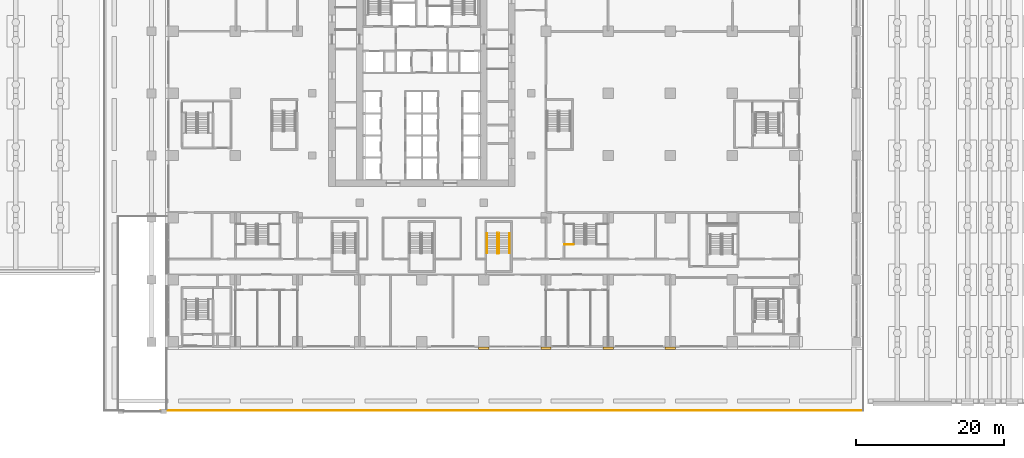
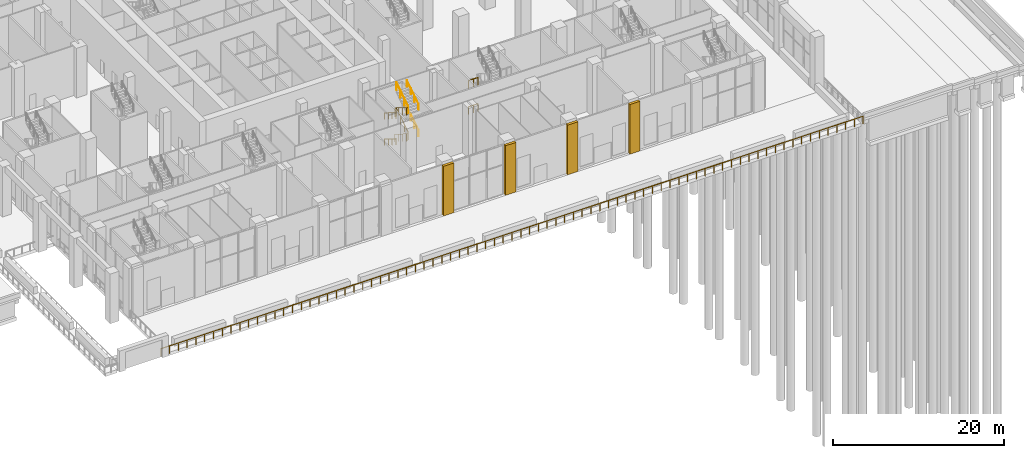
# One storey, part 42 of 53: 11 railings, 4 coverings.
"""IFC4 building model written with IfcOpenShell, lengths in metres."""

from ifc_helpers import new_model, si_unit, direction, frame, origin, origin_2d, place, context, subcontext, project, spatial, polyline, rectangle, outline, extrude, material, type_object, element, save


model = new_model("IFC4")

# Units and contexts
model_context = context("Model", 3, precision=1e-05, world=origin(), true_north=direction((0.0, 1.0)))
body_context = subcontext(model_context, "Body", "Model", "MODEL_VIEW")
ifc_project = project(units=[si_unit("LENGTHUNIT", "METRE"), si_unit("AREAUNIT", "SQUARE_METRE"), si_unit("VOLUMEUNIT", "CUBIC_METRE"), si_unit("PLANEANGLEUNIT", "RADIAN"), si_unit("MASSUNIT", "GRAM", prefix="KILO")], contexts=[model_context])

# Site, building, storey
site_placement = place(None, origin())
site = spatial("IfcSite", under=ifc_project, at=site_placement, CompositionType="ELEMENT")
building_placement = place(site_placement, origin())
building = spatial("IfcBuilding", under=site, at=building_placement, Name="Vermilion Ogive Tower", CompositionType="ELEMENT")
storey_placement = place(building_placement, origin())
storey = spatial("IfcBuildingStorey", under=building, at=storey_placement, Name="L00", CompositionType="ELEMENT", Elevation=0.0)

# Railings
ifc_material_1 = material(Name="Steel S355 painted", Category="steel")
railing_type_1 = type_object("IfcRailingType", Name="Stair guard 1100", PredefinedType="GUARDRAIL", material=ifc_material_1)
railing_1_placement = place(storey_placement, frame((10.199951171875, -14.699951171875, 0.1875)))
element("IfcRailing", 1, at=railing_1_placement, inside=storey, type_object=railing_type_1, Name="L00 ST5 stair guard 1", PredefinedType="GUARDRAIL", context=body_context, shape_type="SweptSolid", body=[
    extrude(rectangle(XDim=0.048095703125, YDim=0.048095703125, at=origin_2d()), frame((0.0, 0.0, 1.076171875), z_axis=(0.0, -0.847993996163, 0.530005832488), x_axis=(1.0, 0.0, 0.0)), (0.0, 0.0, 1.0), 3.183837890625),
    extrude(rectangle(XDim=0.048095703125, YDim=0.048095703125, at=origin_2d()), frame((0.0, -2.699951171875, 2.763671875), z_axis=(0.707106781187, -0.707106781187, 0.0), x_axis=(0.707106781187, 0.707106781187, 0.0)), (0.0, 0.0, 1.0), 0.07080078125),
    extrude(rectangle(XDim=0.048095703125, YDim=0.048095703125, at=origin_2d()), frame((0.050048828125, -2.75, 2.763671875), z_axis=(1.0, 0.0, 0.0), x_axis=(0.0, 1.0, 0.0)), (0.0, 0.0, 1.0), 0.14990234375),
    extrude(rectangle(XDim=0.0419921875, YDim=0.0419921875, at=origin_2d()), origin(), (0.0, 0.0, 1.0), 1.052001953125),
    extrude(rectangle(XDim=0.0419921875, YDim=0.0419921875, at=origin_2d()), frame((0.0, -0.89990234375, 0.5625)), (0.0, 0.0, 1.0), 1.052001953125),
    extrude(rectangle(XDim=0.0419921875, YDim=0.0419921875, at=origin_2d()), frame((0.0, -1.800048828125, 1.125)), (0.0, 0.0, 1.0), 1.052001953125),
    extrude(rectangle(XDim=0.0419921875, YDim=0.0419921875, at=origin_2d()), frame((0.0, -2.699951171875, 1.6875)), (0.0, 0.0, 1.0), 1.052001953125),
    extrude(rectangle(XDim=0.0419921875, YDim=0.0419921875, at=origin_2d()), frame((0.050048828125, -2.75, 1.6875)), (0.0, 0.0, 1.0), 1.052001953125),
    extrude(rectangle(XDim=0.0419921875, YDim=0.0419921875, at=origin_2d()), frame((0.199951171875, -2.75, 1.6875)), (0.0, 0.0, 1.0), 1.052001953125),
])
railing_2_placement = place(storey_placement, frame((10.449951171875, -17.39990234375, 2.0625)))
element("IfcRailing", 2, at=railing_2_placement, inside=storey, type_object=railing_type_1, Name="L00 ST5 stair guard 3", PredefinedType="GUARDRAIL", context=body_context, shape_type="SweptSolid", body=[
    extrude(rectangle(XDim=0.048095703125, YDim=0.048095703125, at=origin_2d()), frame((0.0, 0.0, 1.076171875), z_axis=(0.0, 0.847993996163, 0.530005832488), x_axis=(-1.0, 0.0, 0.0)), (0.0, 0.0, 1.0), 3.183837890625),
    extrude(rectangle(XDim=0.048095703125, YDim=0.048095703125, at=origin_2d()), frame((0.0, 2.699951171875, 2.763671875), z_axis=(-0.707106781187, 0.707106781187, 0.0), x_axis=(-0.707106781187, -0.707106781187, 0.0)), (0.0, 0.0, 1.0), 0.07080078125),
    extrude(rectangle(XDim=0.048095703125, YDim=0.048095703125, at=origin_2d()), frame((-0.050048828125, 2.75, 2.763671875), z_axis=(-1.0, 0.0, 0.0), x_axis=(0.0, -1.0, 0.0)), (0.0, 0.0, 1.0), 0.14990234375),
    extrude(rectangle(XDim=0.0419921875, YDim=0.0419921875, at=origin_2d()), origin(), (0.0, 0.0, 1.0), 1.052001953125),
    extrude(rectangle(XDim=0.0419921875, YDim=0.0419921875, at=origin_2d()), frame((0.0, 0.89990234375, 0.5625)), (0.0, 0.0, 1.0), 1.052001953125),
    extrude(rectangle(XDim=0.0419921875, YDim=0.0419921875, at=origin_2d()), frame((0.0, 1.800048828125, 1.125)), (0.0, 0.0, 1.0), 1.052001953125),
    extrude(rectangle(XDim=0.0419921875, YDim=0.0419921875, at=origin_2d()), frame((0.0, 2.699951171875, 1.6875)), (0.0, 0.0, 1.0), 1.052001953125),
    extrude(rectangle(XDim=0.0419921875, YDim=0.0419921875, at=origin_2d()), frame((-0.050048828125, 2.75, 1.6875)), (0.0, 0.0, 1.0), 1.052001953125),
    extrude(rectangle(XDim=0.0419921875, YDim=0.0419921875, at=origin_2d()), frame((-0.199951171875, 2.75, 1.6875)), (0.0, 0.0, 1.0), 1.052001953125),
])
railing_3_placement = place(storey_placement, frame((10.199951171875, -14.699951171875, 3.9375)))
element("IfcRailing", 3, at=railing_3_placement, inside=storey, type_object=railing_type_1, Name="L00 ST5 stair guard 5", PredefinedType="GUARDRAIL", context=body_context, shape_type="SweptSolid", body=[
    extrude(rectangle(XDim=0.048095703125, YDim=0.048095703125, at=origin_2d()), frame((0.0, 0.0, 1.076171875), z_axis=(0.0, -0.847993996163, 0.530005832488), x_axis=(1.0, 0.0, 0.0)), (0.0, 0.0, 1.0), 3.183837890625),
    extrude(rectangle(XDim=0.048095703125, YDim=0.048095703125, at=origin_2d()), frame((0.0, -2.699951171875, 2.763671875), z_axis=(0.707106781187, -0.707106781187, 0.0), x_axis=(0.707106781187, 0.707106781187, 0.0)), (0.0, 0.0, 1.0), 0.07080078125),
    extrude(rectangle(XDim=0.048095703125, YDim=0.048095703125, at=origin_2d()), frame((0.050048828125, -2.75, 2.763671875), z_axis=(1.0, 0.0, 0.0), x_axis=(0.0, 1.0, 0.0)), (0.0, 0.0, 1.0), 0.14990234375),
    extrude(rectangle(XDim=0.0419921875, YDim=0.0419921875, at=origin_2d()), origin(), (0.0, 0.0, 1.0), 1.052001953125),
    extrude(rectangle(XDim=0.0419921875, YDim=0.0419921875, at=origin_2d()), frame((0.0, -0.89990234375, 0.5625)), (0.0, 0.0, 1.0), 1.052001953125),
    extrude(rectangle(XDim=0.0419921875, YDim=0.0419921875, at=origin_2d()), frame((0.0, -1.800048828125, 1.125)), (0.0, 0.0, 1.0), 1.052001953125),
    extrude(rectangle(XDim=0.0419921875, YDim=0.0419921875, at=origin_2d()), frame((0.0, -2.699951171875, 1.6875)), (0.0, 0.0, 1.0), 1.052001953125),
    extrude(rectangle(XDim=0.0419921875, YDim=0.0419921875, at=origin_2d()), frame((0.050048828125, -2.75, 1.6875)), (0.0, 0.0, 1.0), 1.052001953125),
    extrude(rectangle(XDim=0.0419921875, YDim=0.0419921875, at=origin_2d()), frame((0.199951171875, -2.75, 1.6875)), (0.0, 0.0, 1.0), 1.052001953125),
])
railing_4_placement = place(storey_placement, frame((10.449951171875, -17.39990234375, 5.8125)))
element("IfcRailing", 4, at=railing_4_placement, inside=storey, type_object=railing_type_1, Name="L00 ST5 stair guard 7", PredefinedType="GUARDRAIL", context=body_context, shape_type="SweptSolid", body=[
    extrude(rectangle(XDim=0.048095703125, YDim=0.048095703125, at=origin_2d()), frame((0.0, 0.0, 1.076171875), z_axis=(0.0, 0.847993996163, 0.530005832488), x_axis=(-1.0, 0.0, 0.0)), (0.0, 0.0, 1.0), 3.183837890625),
    extrude(rectangle(XDim=0.0419921875, YDim=0.0419921875, at=origin_2d()), origin(), (0.0, 0.0, 1.0), 1.052001953125),
    extrude(rectangle(XDim=0.0419921875, YDim=0.0419921875, at=origin_2d()), frame((0.0, 0.89990234375, 0.5625)), (0.0, 0.0, 1.0), 1.052001953125),
    extrude(rectangle(XDim=0.0419921875, YDim=0.0419921875, at=origin_2d()), frame((0.0, 1.800048828125, 1.125)), (0.0, 0.0, 1.0), 1.052001953125),
    extrude(rectangle(XDim=0.0419921875, YDim=0.0419921875, at=origin_2d()), frame((0.0, 2.699951171875, 1.6875)), (0.0, 0.0, 1.0), 1.052001953125),
])
for number, where, name in (
    (5, (19.300048828125, -16.25, 1.875), "L00 landing guard"),
    (6, (19.300048828125, -16.25, 5.625), "L00 landing guard"),
):
    element("IfcRailing", number, at=place(storey_placement, frame(where)), inside=storey, type_object=railing_type_1, Name=name, PredefinedType="GUARDRAIL", context=body_context, shape_type="SweptSolid", body=[
        extrude(rectangle(XDim=0.048095703125, YDim=0.048095703125, at=origin_2d()), frame((0.0, 0.0, 1.076171875), z_axis=(1.0, 0.0, 0.0), x_axis=(0.0, 1.0, 0.0)), (0.0, 0.0, 1.0), 1.25),
        extrude(rectangle(XDim=0.0419921875, YDim=0.0419921875, at=origin_2d()), origin(), (0.0, 0.0, 1.0), 1.052001953125),
        extrude(rectangle(XDim=0.0419921875, YDim=0.0419921875, at=origin_2d()), frame((0.625, 0.0, 0.0)), (0.0, 0.0, 1.0), 1.052001953125),
        extrude(rectangle(XDim=0.0419921875, YDim=0.0419921875, at=origin_2d()), frame((1.25, 0.0, 0.0)), (0.0, 0.0, 1.0), 1.052001953125),
    ])
ifc_material_2 = material(Name="Stainless steel", Category="steel")
railing_type_2 = type_object("IfcRailingType", Name="Stair handrail 900", PredefinedType="HANDRAIL", material=ifc_material_2)
railing_5_placement = place(storey_placement, frame((8.800048828125, -14.699951171875, 0.1875)))
element("IfcRailing", 7, at=railing_5_placement, inside=storey, type_object=railing_type_2, Name="L00 ST5 stair handrail 1", PredefinedType="HANDRAIL", context=body_context, shape_type="SweptSolid", body=[
    extrude(rectangle(XDim=0.048095703125, YDim=0.048095703125, at=origin_2d()), frame((0.0, 0.0, 0.8759765625), z_axis=(0.0, -0.847993996163, 0.530005832488), x_axis=(1.0, 0.0, 0.0)), (0.0, 0.0, 1.0), 3.183837890625),
    extrude(rectangle(XDim=0.0419921875, YDim=0.0419921875, at=origin_2d()), origin(), (0.0, 0.0, 1.0), 0.851806640625),
    extrude(rectangle(XDim=0.0419921875, YDim=0.0419921875, at=origin_2d()), frame((0.0, -0.89990234375, 0.5625)), (0.0, 0.0, 1.0), 0.851806640625),
    extrude(rectangle(XDim=0.0419921875, YDim=0.0419921875, at=origin_2d()), frame((0.0, -1.800048828125, 1.125)), (0.0, 0.0, 1.0), 0.851806640625),
    extrude(rectangle(XDim=0.0419921875, YDim=0.0419921875, at=origin_2d()), frame((0.0, -2.699951171875, 1.6875)), (0.0, 0.0, 1.0), 0.851806640625),
])
railing_6_placement = place(storey_placement, frame((11.85009765625, -17.39990234375, 2.0625)))
element("IfcRailing", 8, at=railing_6_placement, inside=storey, type_object=railing_type_2, Name="L00 ST5 stair handrail 2", PredefinedType="HANDRAIL", context=body_context, shape_type="SweptSolid", body=[
    extrude(rectangle(XDim=0.048095703125, YDim=0.048095703125, at=origin_2d()), frame((0.0, 0.0, 0.8759765625), z_axis=(0.0, 0.847993996163, 0.530005832488), x_axis=(-1.0, 0.0, 0.0)), (0.0, 0.0, 1.0), 3.183837890625),
    extrude(rectangle(XDim=0.0419921875, YDim=0.0419921875, at=origin_2d()), origin(), (0.0, 0.0, 1.0), 0.851806640625),
    extrude(rectangle(XDim=0.0419921875, YDim=0.0419921875, at=origin_2d()), frame((0.0, 0.89990234375, 0.5625)), (0.0, 0.0, 1.0), 0.851806640625),
    extrude(rectangle(XDim=0.0419921875, YDim=0.0419921875, at=origin_2d()), frame((0.0, 1.800048828125, 1.125)), (0.0, 0.0, 1.0), 0.851806640625),
    extrude(rectangle(XDim=0.0419921875, YDim=0.0419921875, at=origin_2d()), frame((0.0, 2.699951171875, 1.6875)), (0.0, 0.0, 1.0), 0.851806640625),
])
railing_7_placement = place(storey_placement, frame((8.800048828125, -14.699951171875, 3.9375)))
element("IfcRailing", 9, at=railing_7_placement, inside=storey, type_object=railing_type_2, Name="L00 ST5 stair handrail 3", PredefinedType="HANDRAIL", context=body_context, shape_type="SweptSolid", body=[
    extrude(rectangle(XDim=0.048095703125, YDim=0.048095703125, at=origin_2d()), frame((0.0, 0.0, 0.8759765625), z_axis=(0.0, -0.847993996163, 0.530005832488), x_axis=(1.0, 0.0, 0.0)), (0.0, 0.0, 1.0), 3.183837890625),
    extrude(rectangle(XDim=0.0419921875, YDim=0.0419921875, at=origin_2d()), origin(), (0.0, 0.0, 1.0), 0.851806640625),
    extrude(rectangle(XDim=0.0419921875, YDim=0.0419921875, at=origin_2d()), frame((0.0, -0.89990234375, 0.5625)), (0.0, 0.0, 1.0), 0.851806640625),
    extrude(rectangle(XDim=0.0419921875, YDim=0.0419921875, at=origin_2d()), frame((0.0, -1.800048828125, 1.125)), (0.0, 0.0, 1.0), 0.851806640625),
    extrude(rectangle(XDim=0.0419921875, YDim=0.0419921875, at=origin_2d()), frame((0.0, -2.699951171875, 1.6875)), (0.0, 0.0, 1.0), 0.851806640625),
])
railing_8_placement = place(storey_placement, frame((11.85009765625, -17.39990234375, 5.8125)))
element("IfcRailing", 10, at=railing_8_placement, inside=storey, type_object=railing_type_2, Name="L00 ST5 stair handrail 4", PredefinedType="HANDRAIL", context=body_context, shape_type="SweptSolid", body=[
    extrude(rectangle(XDim=0.048095703125, YDim=0.048095703125, at=origin_2d()), frame((0.0, 0.0, 0.8759765625), z_axis=(0.0, 0.847993996163, 0.530005832488), x_axis=(-1.0, 0.0, 0.0)), (0.0, 0.0, 1.0), 3.183837890625),
    extrude(rectangle(XDim=0.0419921875, YDim=0.0419921875, at=origin_2d()), origin(), (0.0, 0.0, 1.0), 0.851806640625),
    extrude(rectangle(XDim=0.0419921875, YDim=0.0419921875, at=origin_2d()), frame((0.0, 0.89990234375, 0.5625)), (0.0, 0.0, 1.0), 0.851806640625),
    extrude(rectangle(XDim=0.0419921875, YDim=0.0419921875, at=origin_2d()), frame((0.0, 1.800048828125, 1.125)), (0.0, 0.0, 1.0), 0.851806640625),
    extrude(rectangle(XDim=0.0419921875, YDim=0.0419921875, at=origin_2d()), frame((0.0, 2.699951171875, 1.6875)), (0.0, 0.0, 1.0), 0.851806640625),
])

# Coverings
ifc_material_3 = material(Name="Stone cladding", Category="masonry")
covering_type = type_object("IfcCoveringType", Name="Stone pier", PredefinedType="CLADDING", material=ifc_material_3)
covering_1_placement = place(storey_placement, origin())
element("IfcCovering", 11, at=covering_1_placement, inside=storey, type_object=covering_type, Name="Stone pier P+084-294", PredefinedType="CLADDING", context=body_context, shape_type="SweptSolid", body=[
    extrude(outline(polyline([(9.10009765625, -30.10009765625), (9.10009765625, -30.10009765625), (9.10009765625, -30.449951171875), (7.699951171875, -30.449951171875), (7.699951171875, -30.10009765625), (7.699951171875, -30.10009765625), (9.10009765625, -30.10009765625)])), origin(), (0.0, 0.0, 1.0), 7.10009765625),
])
covering_2_placement = place(storey_placement, origin())
element("IfcCovering", 12, at=covering_2_placement, inside=storey, type_object=covering_type, Name="Stone pier P+168-294", PredefinedType="CLADDING", context=body_context, shape_type="SweptSolid", body=[
    extrude(outline(polyline([(17.5, -30.10009765625), (17.5, -30.449951171875), (16.10009765625, -30.449951171875), (16.10009765625, -30.10009765625), (17.5, -30.10009765625), (17.5, -30.10009765625)])), origin(), (0.0, 0.0, 1.0), 7.10009765625),
])
covering_3_placement = place(storey_placement, origin())
element("IfcCovering", 13, at=covering_3_placement, inside=storey, type_object=covering_type, Name="Stone pier P+252-294", PredefinedType="CLADDING", context=body_context, shape_type="SweptSolid", body=[
    extrude(outline(polyline([(25.89990234375, -30.10009765625), (25.89990234375, -30.449951171875), (24.5, -30.449951171875), (24.5, -30.10009765625), (24.5, -30.10009765625), (25.89990234375, -30.10009765625)])), origin(), (0.0, 0.0, 1.0), 7.10009765625),
])
covering_4_placement = place(storey_placement, origin())
element("IfcCovering", 14, at=covering_4_placement, inside=storey, type_object=covering_type, Name="Stone pier P+336-294", PredefinedType="CLADDING", context=body_context, shape_type="SweptSolid", body=[
    extrude(outline(polyline([(34.300048828125, -30.449951171875), (32.89990234375, -30.449951171875), (32.89990234375, -30.10009765625), (34.300048828125, -30.10009765625), (34.300048828125, -30.449951171875)])), origin(), (0.0, 0.0, 1.0), 7.10009765625),
])

# Railing
ifc_material_4 = material(Name="Stainless steel and glass", Category="steel")
railing_type_3 = type_object("IfcRailingType", Name="Terrace guard", PredefinedType="GUARDRAIL", material=ifc_material_4)
railing_9_placement = place(storey_placement, frame((59.699951171875, -38.699951171875, 0.0)))
element("IfcRailing", 15, at=railing_9_placement, inside=storey, type_object=railing_type_3, Name="Terrace guard 1.1.3", PredefinedType="GUARDRAIL", context=body_context, shape_type="SweptSolid", body=[
    extrude(rectangle(XDim=0.048095703125, YDim=0.048095703125, at=origin_2d()), frame((0.0, 0.0, 1.076171875), z_axis=(-1.0, 0.0, 0.0), x_axis=(0.0, -1.0, 0.0)), (0.0, 0.0, 1.0), 95.0),
    extrude(rectangle(XDim=0.0419921875, YDim=0.0419921875, at=origin_2d()), origin(), (0.0, 0.0, 1.0), 1.052001953125),
    extrude(rectangle(XDim=0.0419921875, YDim=0.0419921875, at=origin_2d()), frame((-1.1875, 0.0, 0.0)), (0.0, 0.0, 1.0), 1.052001953125),
    extrude(rectangle(XDim=0.0419921875, YDim=0.0419921875, at=origin_2d()), frame((-2.375, 0.0, 0.0)), (0.0, 0.0, 1.0), 1.052001953125),
    extrude(rectangle(XDim=0.0419921875, YDim=0.0419921875, at=origin_2d()), frame((-3.5625, 0.0, 0.0)), (0.0, 0.0, 1.0), 1.052001953125),
    extrude(rectangle(XDim=0.0419921875, YDim=0.0419921875, at=origin_2d()), frame((-4.75, 0.0, 0.0)), (0.0, 0.0, 1.0), 1.052001953125),
    extrude(rectangle(XDim=0.0419921875, YDim=0.0419921875, at=origin_2d()), frame((-5.9375, 0.0, 0.0)), (0.0, 0.0, 1.0), 1.052001953125),
    extrude(rectangle(XDim=0.0419921875, YDim=0.0419921875, at=origin_2d()), frame((-7.125, 0.0, 0.0)), (0.0, 0.0, 1.0), 1.052001953125),
    extrude(rectangle(XDim=0.0419921875, YDim=0.0419921875, at=origin_2d()), frame((-8.3125, 0.0, 0.0)), (0.0, 0.0, 1.0), 1.052001953125),
    extrude(rectangle(XDim=0.0419921875, YDim=0.0419921875, at=origin_2d()), frame((-9.5, 0.0, 0.0)), (0.0, 0.0, 1.0), 1.052001953125),
    extrude(rectangle(XDim=0.0419921875, YDim=0.0419921875, at=origin_2d()), frame((-10.6875, 0.0, 0.0)), (0.0, 0.0, 1.0), 1.052001953125),
    extrude(rectangle(XDim=0.0419921875, YDim=0.0419921875, at=origin_2d()), frame((-11.875, 0.0, 0.0)), (0.0, 0.0, 1.0), 1.052001953125),
    extrude(rectangle(XDim=0.0419921875, YDim=0.0419921875, at=origin_2d()), frame((-13.0625, 0.0, 0.0)), (0.0, 0.0, 1.0), 1.052001953125),
    extrude(rectangle(XDim=0.0419921875, YDim=0.0419921875, at=origin_2d()), frame((-14.25, 0.0, 0.0)), (0.0, 0.0, 1.0), 1.052001953125),
    extrude(rectangle(XDim=0.0419921875, YDim=0.0419921875, at=origin_2d()), frame((-15.4375, 0.0, 0.0)), (0.0, 0.0, 1.0), 1.052001953125),
    extrude(rectangle(XDim=0.0419921875, YDim=0.0419921875, at=origin_2d()), frame((-16.625, 0.0, 0.0)), (0.0, 0.0, 1.0), 1.052001953125),
    extrude(rectangle(XDim=0.0419921875, YDim=0.0419921875, at=origin_2d()), frame((-17.8125, 0.0, 0.0)), (0.0, 0.0, 1.0), 1.052001953125),
    extrude(rectangle(XDim=0.0419921875, YDim=0.0419921875, at=origin_2d()), frame((-19.0, 0.0, 0.0)), (0.0, 0.0, 1.0), 1.052001953125),
    extrude(rectangle(XDim=0.0419921875, YDim=0.0419921875, at=origin_2d()), frame((-20.1875, 0.0, 0.0)), (0.0, 0.0, 1.0), 1.052001953125),
    extrude(rectangle(XDim=0.0419921875, YDim=0.0419921875, at=origin_2d()), frame((-21.375, 0.0, 0.0)), (0.0, 0.0, 1.0), 1.052001953125),
    extrude(rectangle(XDim=0.0419921875, YDim=0.0419921875, at=origin_2d()), frame((-22.5625, 0.0, 0.0)), (0.0, 0.0, 1.0), 1.052001953125),
    extrude(rectangle(XDim=0.0419921875, YDim=0.0419921875, at=origin_2d()), frame((-23.75, 0.0, 0.0)), (0.0, 0.0, 1.0), 1.052001953125),
    extrude(rectangle(XDim=0.0419921875, YDim=0.0419921875, at=origin_2d()), frame((-24.9375, 0.0, 0.0)), (0.0, 0.0, 1.0), 1.052001953125),
    extrude(rectangle(XDim=0.0419921875, YDim=0.0419921875, at=origin_2d()), frame((-26.125, 0.0, 0.0)), (0.0, 0.0, 1.0), 1.052001953125),
    extrude(rectangle(XDim=0.0419921875, YDim=0.0419921875, at=origin_2d()), frame((-27.3125, 0.0, 0.0)), (0.0, 0.0, 1.0), 1.052001953125),
    extrude(rectangle(XDim=0.0419921875, YDim=0.0419921875, at=origin_2d()), frame((-28.5, 0.0, 0.0)), (0.0, 0.0, 1.0), 1.052001953125),
    extrude(rectangle(XDim=0.0419921875, YDim=0.0419921875, at=origin_2d()), frame((-29.6875, 0.0, 0.0)), (0.0, 0.0, 1.0), 1.052001953125),
    extrude(rectangle(XDim=0.0419921875, YDim=0.0419921875, at=origin_2d()), frame((-30.875, 0.0, 0.0)), (0.0, 0.0, 1.0), 1.052001953125),
    extrude(rectangle(XDim=0.0419921875, YDim=0.0419921875, at=origin_2d()), frame((-32.0625, 0.0, 0.0)), (0.0, 0.0, 1.0), 1.052001953125),
    extrude(rectangle(XDim=0.0419921875, YDim=0.0419921875, at=origin_2d()), frame((-33.25, 0.0, 0.0)), (0.0, 0.0, 1.0), 1.052001953125),
    extrude(rectangle(XDim=0.0419921875, YDim=0.0419921875, at=origin_2d()), frame((-34.4375, 0.0, 0.0)), (0.0, 0.0, 1.0), 1.052001953125),
    extrude(rectangle(XDim=0.0419921875, YDim=0.0419921875, at=origin_2d()), frame((-35.625, 0.0, 0.0)), (0.0, 0.0, 1.0), 1.052001953125),
    extrude(rectangle(XDim=0.0419921875, YDim=0.0419921875, at=origin_2d()), frame((-36.8125, 0.0, 0.0)), (0.0, 0.0, 1.0), 1.052001953125),
    extrude(rectangle(XDim=0.0419921875, YDim=0.0419921875, at=origin_2d()), frame((-38.0, 0.0, 0.0)), (0.0, 0.0, 1.0), 1.052001953125),
    extrude(rectangle(XDim=0.0419921875, YDim=0.0419921875, at=origin_2d()), frame((-39.1875, 0.0, 0.0)), (0.0, 0.0, 1.0), 1.052001953125),
    extrude(rectangle(XDim=0.0419921875, YDim=0.0419921875, at=origin_2d()), frame((-40.375, 0.0, 0.0)), (0.0, 0.0, 1.0), 1.052001953125),
    extrude(rectangle(XDim=0.0419921875, YDim=0.0419921875, at=origin_2d()), frame((-41.5625, 0.0, 0.0)), (0.0, 0.0, 1.0), 1.052001953125),
    extrude(rectangle(XDim=0.0419921875, YDim=0.0419921875, at=origin_2d()), frame((-42.75, 0.0, 0.0)), (0.0, 0.0, 1.0), 1.052001953125),
    extrude(rectangle(XDim=0.0419921875, YDim=0.0419921875, at=origin_2d()), frame((-43.9375, 0.0, 0.0)), (0.0, 0.0, 1.0), 1.052001953125),
    extrude(rectangle(XDim=0.0419921875, YDim=0.0419921875, at=origin_2d()), frame((-45.125, 0.0, 0.0)), (0.0, 0.0, 1.0), 1.052001953125),
    extrude(rectangle(XDim=0.0419921875, YDim=0.0419921875, at=origin_2d()), frame((-46.3125, 0.0, 0.0)), (0.0, 0.0, 1.0), 1.052001953125),
    extrude(rectangle(XDim=0.0419921875, YDim=0.0419921875, at=origin_2d()), frame((-47.5, 0.0, 0.0)), (0.0, 0.0, 1.0), 1.052001953125),
    extrude(rectangle(XDim=0.0419921875, YDim=0.0419921875, at=origin_2d()), frame((-48.6875, 0.0, 0.0)), (0.0, 0.0, 1.0), 1.052001953125),
    extrude(rectangle(XDim=0.0419921875, YDim=0.0419921875, at=origin_2d()), frame((-49.875, 0.0, 0.0)), (0.0, 0.0, 1.0), 1.052001953125),
    extrude(rectangle(XDim=0.0419921875, YDim=0.0419921875, at=origin_2d()), frame((-51.0625, 0.0, 0.0)), (0.0, 0.0, 1.0), 1.052001953125),
    extrude(rectangle(XDim=0.0419921875, YDim=0.0419921875, at=origin_2d()), frame((-52.25, 0.0, 0.0)), (0.0, 0.0, 1.0), 1.052001953125),
    extrude(rectangle(XDim=0.0419921875, YDim=0.0419921875, at=origin_2d()), frame((-53.4375, 0.0, 0.0)), (0.0, 0.0, 1.0), 1.052001953125),
    extrude(rectangle(XDim=0.0419921875, YDim=0.0419921875, at=origin_2d()), frame((-54.625, 0.0, 0.0)), (0.0, 0.0, 1.0), 1.052001953125),
    extrude(rectangle(XDim=0.0419921875, YDim=0.0419921875, at=origin_2d()), frame((-55.8125, 0.0, 0.0)), (0.0, 0.0, 1.0), 1.052001953125),
    extrude(rectangle(XDim=0.0419921875, YDim=0.0419921875, at=origin_2d()), frame((-57.0, 0.0, 0.0)), (0.0, 0.0, 1.0), 1.052001953125),
    extrude(rectangle(XDim=0.0419921875, YDim=0.0419921875, at=origin_2d()), frame((-58.1875, 0.0, 0.0)), (0.0, 0.0, 1.0), 1.052001953125),
    extrude(rectangle(XDim=0.0419921875, YDim=0.0419921875, at=origin_2d()), frame((-59.375, 0.0, 0.0)), (0.0, 0.0, 1.0), 1.052001953125),
    extrude(rectangle(XDim=0.0419921875, YDim=0.0419921875, at=origin_2d()), frame((-60.5625, 0.0, 0.0)), (0.0, 0.0, 1.0), 1.052001953125),
    extrude(rectangle(XDim=0.0419921875, YDim=0.0419921875, at=origin_2d()), frame((-61.75, 0.0, 0.0)), (0.0, 0.0, 1.0), 1.052001953125),
    extrude(rectangle(XDim=0.0419921875, YDim=0.0419921875, at=origin_2d()), frame((-62.9375, 0.0, 0.0)), (0.0, 0.0, 1.0), 1.052001953125),
    extrude(rectangle(XDim=0.0419921875, YDim=0.0419921875, at=origin_2d()), frame((-64.125, 0.0, 0.0)), (0.0, 0.0, 1.0), 1.052001953125),
    extrude(rectangle(XDim=0.0419921875, YDim=0.0419921875, at=origin_2d()), frame((-65.3125, 0.0, 0.0)), (0.0, 0.0, 1.0), 1.052001953125),
    extrude(rectangle(XDim=0.0419921875, YDim=0.0419921875, at=origin_2d()), frame((-66.5, 0.0, 0.0)), (0.0, 0.0, 1.0), 1.052001953125),
    extrude(rectangle(XDim=0.0419921875, YDim=0.0419921875, at=origin_2d()), frame((-67.6875, 0.0, 0.0)), (0.0, 0.0, 1.0), 1.052001953125),
    extrude(rectangle(XDim=0.0419921875, YDim=0.0419921875, at=origin_2d()), frame((-68.875, 0.0, 0.0)), (0.0, 0.0, 1.0), 1.052001953125),
    extrude(rectangle(XDim=0.0419921875, YDim=0.0419921875, at=origin_2d()), frame((-70.0625, 0.0, 0.0)), (0.0, 0.0, 1.0), 1.052001953125),
    extrude(rectangle(XDim=0.0419921875, YDim=0.0419921875, at=origin_2d()), frame((-71.25, 0.0, 0.0)), (0.0, 0.0, 1.0), 1.052001953125),
    extrude(rectangle(XDim=0.0419921875, YDim=0.0419921875, at=origin_2d()), frame((-72.4375, 0.0, 0.0)), (0.0, 0.0, 1.0), 1.052001953125),
    extrude(rectangle(XDim=0.0419921875, YDim=0.0419921875, at=origin_2d()), frame((-73.625, 0.0, 0.0)), (0.0, 0.0, 1.0), 1.052001953125),
    extrude(rectangle(XDim=0.0419921875, YDim=0.0419921875, at=origin_2d()), frame((-74.8125, 0.0, 0.0)), (0.0, 0.0, 1.0), 1.052001953125),
    extrude(rectangle(XDim=0.0419921875, YDim=0.0419921875, at=origin_2d()), frame((-76.0, 0.0, 0.0)), (0.0, 0.0, 1.0), 1.052001953125),
    extrude(rectangle(XDim=0.0419921875, YDim=0.0419921875, at=origin_2d()), frame((-77.1875, 0.0, 0.0)), (0.0, 0.0, 1.0), 1.052001953125),
    extrude(rectangle(XDim=0.0419921875, YDim=0.0419921875, at=origin_2d()), frame((-78.375, 0.0, 0.0)), (0.0, 0.0, 1.0), 1.052001953125),
    extrude(rectangle(XDim=0.0419921875, YDim=0.0419921875, at=origin_2d()), frame((-79.5625, 0.0, 0.0)), (0.0, 0.0, 1.0), 1.052001953125),
    extrude(rectangle(XDim=0.0419921875, YDim=0.0419921875, at=origin_2d()), frame((-80.75, 0.0, 0.0)), (0.0, 0.0, 1.0), 1.052001953125),
    extrude(rectangle(XDim=0.0419921875, YDim=0.0419921875, at=origin_2d()), frame((-81.9375, 0.0, 0.0)), (0.0, 0.0, 1.0), 1.052001953125),
    extrude(rectangle(XDim=0.0419921875, YDim=0.0419921875, at=origin_2d()), frame((-83.125, 0.0, 0.0)), (0.0, 0.0, 1.0), 1.052001953125),
    extrude(rectangle(XDim=0.0419921875, YDim=0.0419921875, at=origin_2d()), frame((-84.3125, 0.0, 0.0)), (0.0, 0.0, 1.0), 1.052001953125),
    extrude(rectangle(XDim=0.0419921875, YDim=0.0419921875, at=origin_2d()), frame((-85.5, 0.0, 0.0)), (0.0, 0.0, 1.0), 1.052001953125),
    extrude(rectangle(XDim=0.0419921875, YDim=0.0419921875, at=origin_2d()), frame((-86.6875, 0.0, 0.0)), (0.0, 0.0, 1.0), 1.052001953125),
    extrude(rectangle(XDim=0.0419921875, YDim=0.0419921875, at=origin_2d()), frame((-87.875, 0.0, 0.0)), (0.0, 0.0, 1.0), 1.052001953125),
    extrude(rectangle(XDim=0.0419921875, YDim=0.0419921875, at=origin_2d()), frame((-89.0625, 0.0, 0.0)), (0.0, 0.0, 1.0), 1.052001953125),
    extrude(rectangle(XDim=0.0419921875, YDim=0.0419921875, at=origin_2d()), frame((-90.25, 0.0, 0.0)), (0.0, 0.0, 1.0), 1.052001953125),
    extrude(rectangle(XDim=0.0419921875, YDim=0.0419921875, at=origin_2d()), frame((-91.4375, 0.0, 0.0)), (0.0, 0.0, 1.0), 1.052001953125),
    extrude(rectangle(XDim=0.0419921875, YDim=0.0419921875, at=origin_2d()), frame((-92.625, 0.0, 0.0)), (0.0, 0.0, 1.0), 1.052001953125),
    extrude(rectangle(XDim=0.0419921875, YDim=0.0419921875, at=origin_2d()), frame((-93.8125, 0.0, 0.0)), (0.0, 0.0, 1.0), 1.052001953125),
    extrude(rectangle(XDim=0.0419921875, YDim=0.0419921875, at=origin_2d()), frame((-95.0, 0.0, 0.0)), (0.0, 0.0, 1.0), 1.052001953125),
])

save(model, "model.ifc")
